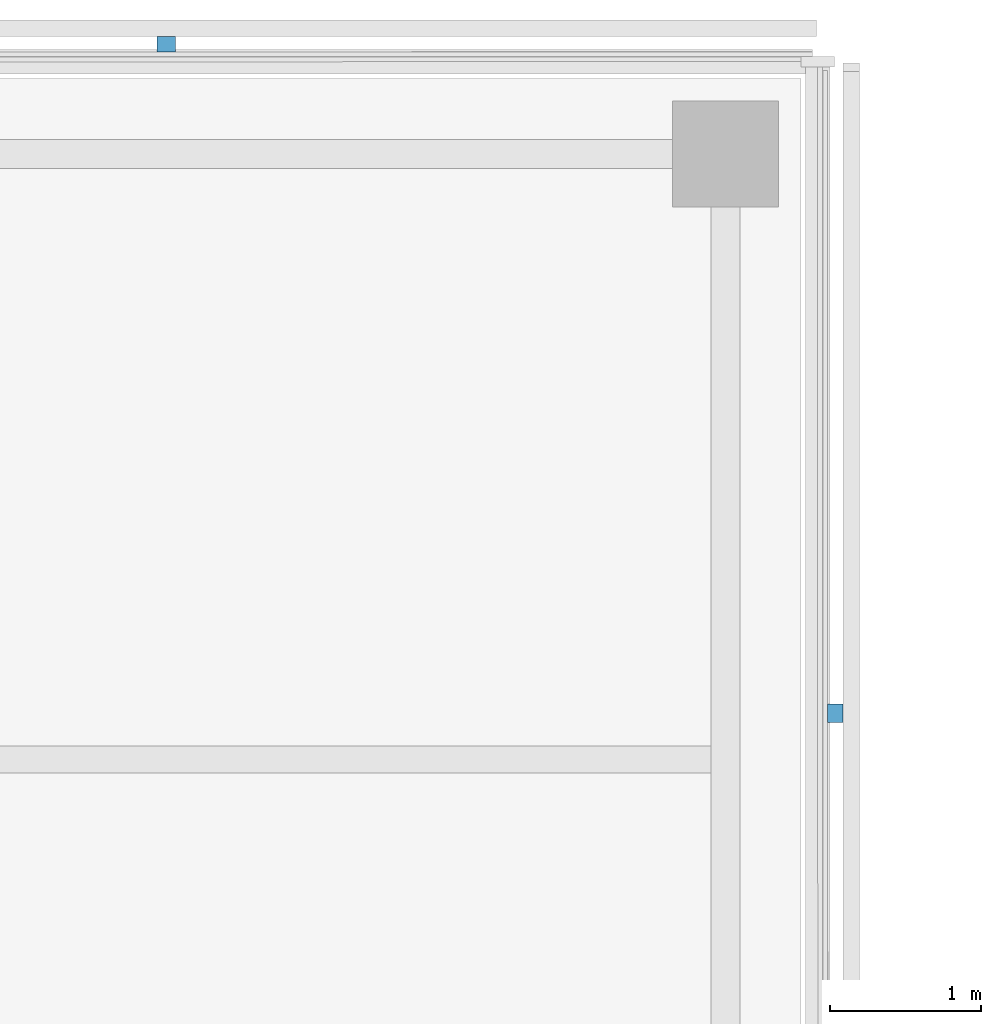
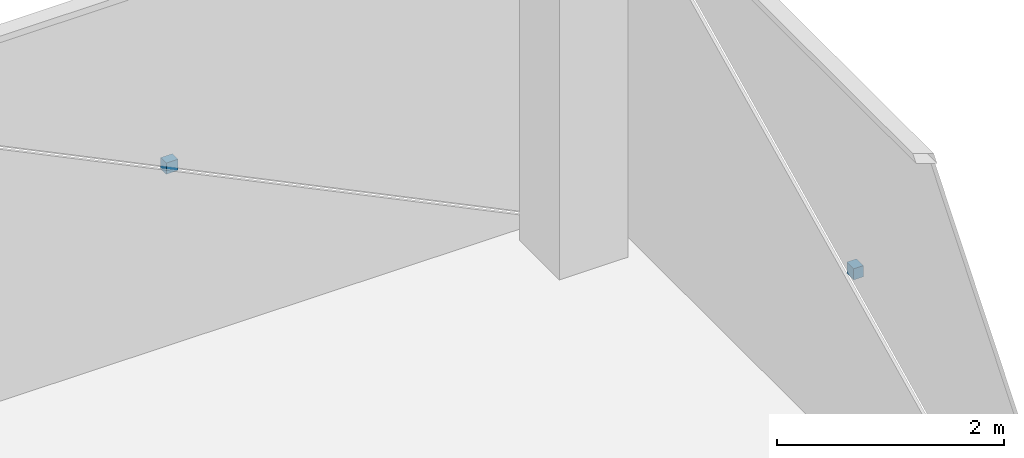
# One storey, part 20 of 22: 2 discrete accessories.
"""IFC4 building model written with IfcOpenShell, lengths in metres."""

from ifc_helpers import new_model, si_unit, direction, frame, origin, origin_2d, place, context, subcontext, project, spatial, rectangle, extrude, material, type_object, element, save


model = new_model("IFC4")

# Units and contexts
model_context = context("Model", 3, precision=1e-05, world=origin(), true_north=direction((0.0, 1.0)))
body_context = subcontext(model_context, "Body", "Model", "MODEL_VIEW")
ifc_project = project(units=[si_unit("LENGTHUNIT", "METRE"), si_unit("AREAUNIT", "SQUARE_METRE"), si_unit("VOLUMEUNIT", "CUBIC_METRE"), si_unit("PLANEANGLEUNIT", "RADIAN"), si_unit("MASSUNIT", "GRAM", prefix="KILO")], contexts=[model_context])

# Site, building, storey
site_placement = place(None, origin())
site = spatial("IfcSite", under=ifc_project, at=site_placement, CompositionType="ELEMENT")
building_placement = place(site_placement, origin())
building = spatial("IfcBuilding", under=site, at=building_placement, Name="Crosswind Convention Tower", CompositionType="ELEMENT")
storey_placement = place(building_placement, frame((0.0, 0.0, 146.300048828125)))
storey = spatial("IfcBuildingStorey", under=building, at=storey_placement, Name="L30", CompositionType="ELEMENT", Elevation=146.300048828125)

# Discrete accessories
ifc_material = material(Name="Stainless steel", Category="steel")
discrete_accessory_type = type_object("IfcDiscreteAccessoryType", Name="BAGUETTE BRACKET BK3", PredefinedType="BRACKET", material=ifc_material)
for number, where, z_axis, x_axis, name in (
    (1, (137.72607421875, 124.304931640625, 1.704833984375), (0.0, 0.0, 1.0), (0.0, 1.0, 0.0), "BK3 baguette bracket"),
    (2, (133.304931640625, 128.72607421875, 1.704833984375), (0.0, 0.0, 1.0), (-1.0, 0.0, 0.0), "BK3 baguette bracket"),
):
    element("IfcDiscreteAccessory", number, at=place(storey_placement, frame(where, z_axis=z_axis, x_axis=x_axis)), inside=storey, type_object=discrete_accessory_type, Name=name, PredefinedType="BRACKET", context=body_context, shape_type="SweptSolid", body=[
        extrude(rectangle(XDim=0.1201171875, YDim=0.10009765625, at=origin_2d()), origin(), (0.0, 0.0, 1.0), 0.1201171875),
    ])

save(model, "model.ifc")
